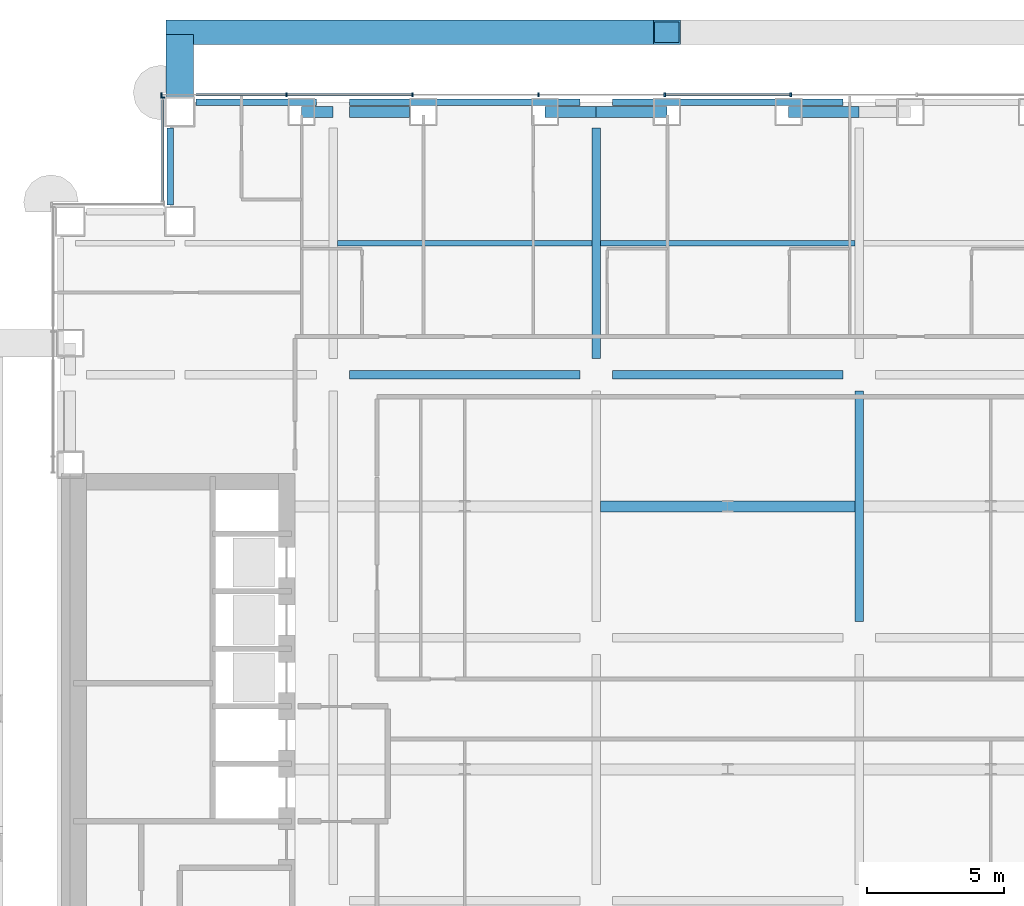
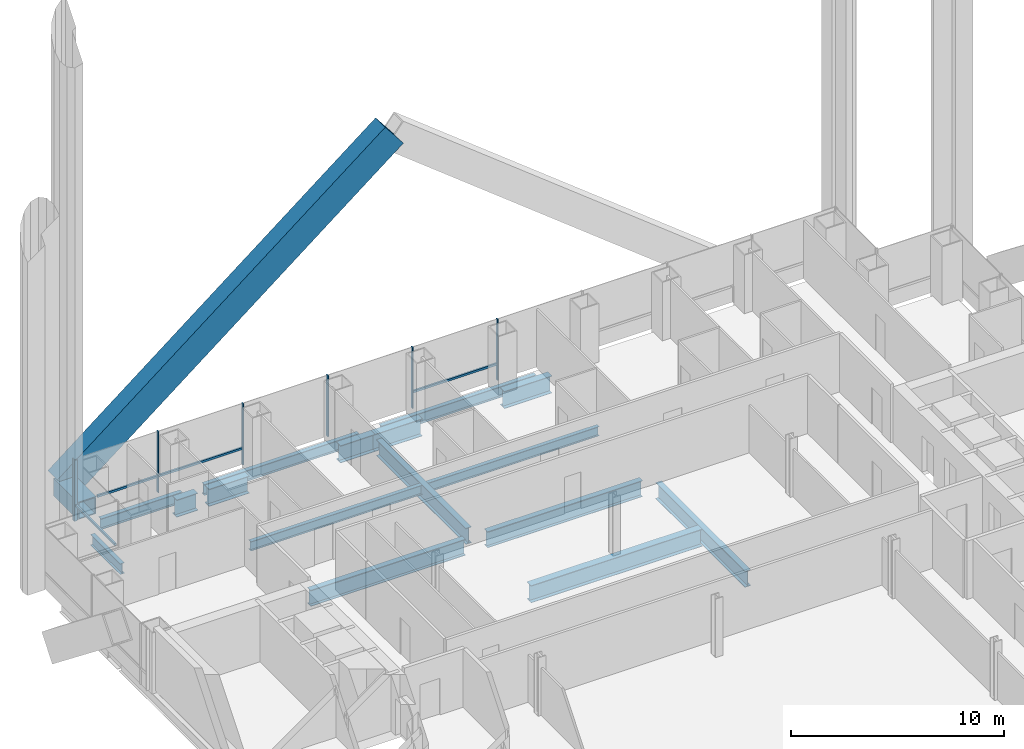
# One storey, part 10 of 28: 17 beams, 12 members, 2 elements without a shape of their own.
"""IFC4 building model written with IfcOpenShell, lengths in metres."""

import ifcopenshell
import ifcopenshell.guid

model = None  # the IFC model being written
_history = None  # IfcOwnerHistory: only IFC2X3 demands one
_inside = {}  # id of a spatial element -> (the spatial element, [elements in it])
_under = {}  # id of a project, library or spatial element -> (it, [spatial elements below it])
_declared = {}  # id of a project -> (the project, [libraries it declares])
_typed = {}  # id of a type object -> (the type object, [elements of that type])
_made_of = {}  # id of a material, layer set ... -> (it, [elements and type objects made of it])


def new_model(schema):
    """Start an empty IFC model of exactly this schema.

    Asked for "IFC4X3", IfcOpenShell would pick the latest addendum, in which some entities
    have other attributes; the version numbers below select the first issue.
    IFC2X3 requires an IfcOwnerHistory on every rooted entity: one is made here for all.
    """
    global model, _history
    if schema == "IFC4X3":
        model = ifcopenshell.file(schema_version=(4, 3, 0, 0))
    else:
        model = ifcopenshell.file(schema=schema)
    _inside.clear()
    _under.clear()
    _declared.clear()
    _typed.clear()
    _made_of.clear()
    _history = None
    if model.schema == "IFC2X3":
        org = make("IfcOrganization", Name="unknown")
        user = make(
            "IfcPersonAndOrganization",
            ThePerson=make("IfcPerson", FamilyName="unknown"),
            TheOrganization=org,
        )
        app = make(
            "IfcApplication",
            ApplicationDeveloper=org,
            Version="unknown",
            ApplicationFullName="unknown",
            ApplicationIdentifier="unknown",
        )
        _history = make(
            "IfcOwnerHistory",
            OwningUser=user,
            OwningApplication=app,
            ChangeAction="ADDED",
            CreationDate=0,
        )
    return model


def make(cls, **values):
    """One entity of the class cls with the attributes given. An attribute that is None is left unset."""
    return model.create_entity(
        cls, **{name: value for name, value in values.items() if value is not None}
    )


def rooted(cls, **values):
    """An entity with a GlobalId (a new one), such as an element, a storey or a relation."""
    return make(cls, GlobalId=ifcopenshell.guid.new(), OwnerHistory=_history, **values)


def si_unit(unit_type, name, prefix=None):
    """IfcSIUnit, for example si_unit("LENGTHUNIT", "METRE", prefix="MILLI")."""
    return make("IfcSIUnit", UnitType=unit_type, Prefix=prefix, Name=name)


def assignment(units):
    """IfcUnitAssignment: the units of a project."""
    return None if units is None else make("IfcUnitAssignment", Units=units)


def point(xyz):
    """IfcCartesianPoint."""
    return None if xyz is None else make("IfcCartesianPoint", Coordinates=xyz)


def direction(xyz):
    """IfcDirection."""
    return None if xyz is None else make("IfcDirection", DirectionRatios=xyz)


def frame(location, z_axis=None, x_axis=None):
    """IfcAxis2Placement3D, a coordinate frame: its origin and axes. An axis left out is left unset."""
    return make(
        "IfcAxis2Placement3D",
        Location=point(location),
        Axis=direction(z_axis),
        RefDirection=direction(x_axis),
    )


def frame_2d(location, x_axis=None):
    """IfcAxis2Placement2D, a coordinate frame in the plane: its origin and x axis."""
    return make(
        "IfcAxis2Placement2D", Location=point(location), RefDirection=direction(x_axis)
    )


def origin():
    """The frame at (0, 0, 0) with its axes left unset."""
    return frame((0.0, 0.0, 0.0))


def origin_2d():
    """The frame at (0, 0) in the plane with its x axis left unset."""
    return frame_2d((0.0, 0.0))


def place(relative_to, where):
    """IfcLocalPlacement: puts the frame where relative to a parent placement (None: the world)."""
    return make(
        "IfcLocalPlacement", PlacementRelTo=relative_to, RelativePlacement=where
    )


def context(
    kind, dimensions, precision=None, world=None, true_north=None, identifier=None
):
    """IfcGeometricRepresentationContext, for example the 3D "Model" context."""
    return make(
        "IfcGeometricRepresentationContext",
        ContextIdentifier=identifier,
        ContextType=kind,
        CoordinateSpaceDimension=dimensions,
        Precision=precision,
        WorldCoordinateSystem=world,
        TrueNorth=true_north,
    )


def subcontext(parent, identifier, kind, view, scale=None):
    """IfcGeometricRepresentationSubContext, for example "Body" below "Model"."""
    return make(
        "IfcGeometricRepresentationSubContext",
        ContextIdentifier=identifier,
        ContextType=kind,
        ParentContext=parent,
        TargetScale=scale,
        TargetView=view,
    )


def project(units=None, contexts=None):
    """IfcProject with its units and contexts."""
    return rooted(
        "IfcProject",
        Name="project",
        RepresentationContexts=contexts,
        UnitsInContext=assignment(units),
    )


def spatial(cls, under=None, at=None, **own):
    """A site, building, storey or space (cls), placed at a placement, below another one or the project."""
    s = rooted(cls, ObjectPlacement=at, **own)
    if under is not None:
        _under.setdefault(under.id(), (under, []))[1].append(s)
    return s


def profile(cls, at=None, kind="AREA", **sizes):
    """A parametric profile (cls). Its sizes go by their IFC names, for example OverallWidth=200.0."""
    return make(cls, ProfileType=kind, Position=at, **sizes)


def rectangle(**sizes):
    """IfcRectangleProfileDef."""
    return profile("IfcRectangleProfileDef", **sizes)


def hollow_rectangle(**sizes):
    """IfcRectangleHollowProfileDef."""
    return profile("IfcRectangleHollowProfileDef", **sizes)


def i_section(**sizes):
    """IfcIShapeProfileDef."""
    return profile("IfcIShapeProfileDef", **sizes)


def extrude(swept, where, along, depth):
    """IfcExtrudedAreaSolid: the profile swept, set in the frame where, extruded along a direction by depth."""
    return make(
        "IfcExtrudedAreaSolid",
        SweptArea=swept,
        Position=where,
        ExtrudedDirection=direction(along),
        Depth=depth,
    )


def shape(context_of_items, identifier, shape_type, items):
    """IfcShapeRepresentation: the items that make up one representation, for example the "Body"."""
    return make(
        "IfcShapeRepresentation",
        ContextOfItems=context_of_items,
        RepresentationIdentifier=identifier,
        RepresentationType=shape_type,
        Items=items,
    )


def material(Name=None, Category=None):
    """IfcMaterial."""
    return make("IfcMaterial", Name=Name, Category=Category)


def material_profile(
    of_material, cross_section, Name=None, Category=None, Priority=None
):
    """IfcMaterialProfile: a cross section and its material."""
    return make(
        "IfcMaterialProfile",
        Name=Name,
        Material=of_material,
        Profile=cross_section,
        Priority=Priority,
        Category=Category,
    )


def profile_set(profiles, Name=None, composite=None):
    """IfcMaterialProfileSet."""
    return make(
        "IfcMaterialProfileSet",
        Name=Name,
        MaterialProfiles=profiles,
        CompositeProfile=composite,
    )


def made_of(thing, what):
    """Note that an element or type object is made of a material, layer set ...; save() writes the relation."""
    if what is not None:
        _made_of.setdefault(what.id(), (what, []))[1].append(thing)
    return thing


def type_object(cls, material=None, **own):
    """A type object (cls), such as IfcWallType, which elements share."""
    return made_of(rooted(cls, **own), material)


def element(
    cls,
    number,
    at=None,
    inside=None,
    cuts=None,
    type_object=None,
    material=None,
    context=None,
    identifier="Body",
    shape_type=None,
    held_by="IfcProductDefinitionShape",
    body=None,
    shapes=None,
    **own,
):
    """One element of the class cls, such as IfcWall. Its Tag is "e" and its number.

    at: its placement. inside: the storey or other place that contains it. cuts: it is an
    opening in that element (IfcRelVoidsElement). A single representation is given by context,
    identifier, shape_type and body (its items); several are given by shapes. held_by: the class
    of the entity that holds the representations. save() writes the other relations.
    """
    e = rooted(cls, Tag="e%d" % number, ObjectPlacement=at, **own)
    if body is not None:
        shapes = [shape(context, identifier, shape_type, body)]
    if shapes is not None:
        e.Representation = make(held_by, Representations=shapes)
    if inside is not None:
        _inside.setdefault(inside.id(), (inside, []))[1].append(e)
    if cuts is not None:
        rooted(
            "IfcRelVoidsElement", RelatingBuildingElement=cuts, RelatedOpeningElement=e
        )
    if type_object is not None:
        _typed.setdefault(type_object.id(), (type_object, []))[1].append(e)
    return made_of(e, material)


def aggregate(whole, parts):
    """IfcRelAggregates: a whole, such as a stair, and the parts it consists of."""
    return rooted("IfcRelAggregates", RelatingObject=whole, RelatedObjects=parts)


def save(model, path):
    """Write the relations noted so far, then the file.

    IfcRelAggregates (storeys below a building ...), IfcRelContainedInSpatialStructure (elements
    in a storey), IfcRelDefinesByType, IfcRelAssociatesMaterial and IfcRelDeclares: one each for
    every whole, place, type object, material and project.
    """
    for whole, parts in _under.values():
        aggregate(whole, parts)
    for where, things in _inside.values():
        rooted(
            "IfcRelContainedInSpatialStructure",
            RelatedElements=things,
            RelatingStructure=where,
        )
    for kind, things in _typed.values():
        rooted("IfcRelDefinesByType", RelatedObjects=things, RelatingType=kind)
    for what, things in _made_of.values():
        rooted("IfcRelAssociatesMaterial", RelatedObjects=things, RelatingMaterial=what)
    for by, libraries in _declared.values():
        rooted("IfcRelDeclares", RelatingContext=by, RelatedDefinitions=libraries)
    model.write(path)


model = new_model("IFC4")

# Units and contexts
model_context = context("Model", 3, precision=1e-05, world=origin(), true_north=direction((0.0, 1.0)))
body_context = subcontext(model_context, "Body", "Model", "MODEL_VIEW")
ifc_project = project(units=[si_unit("LENGTHUNIT", "METRE"), si_unit("AREAUNIT", "SQUARE_METRE"), si_unit("VOLUMEUNIT", "CUBIC_METRE"), si_unit("PLANEANGLEUNIT", "RADIAN"), si_unit("MASSUNIT", "GRAM", prefix="KILO")], contexts=[model_context])

# Site, building, storey
site_placement = place(None, origin())
site = spatial("IfcSite", under=ifc_project, at=site_placement, CompositionType="ELEMENT")
building_placement = place(site_placement, origin())
building = spatial("IfcBuilding", under=site, at=building_placement, Name="Cobrizo Arcos Hotel Tower", CompositionType="ELEMENT")
storey_placement = place(building_placement, frame((0.0, 0.0, 39.0)))
storey = spatial("IfcBuildingStorey", under=building, at=storey_placement, Name="L07", CompositionType="ELEMENT", Elevation=39.0)

# Beam
ifc_material_1 = material(Name="Steel ASTM A572 Grade 50", Category="steel")
ifc_material_profile_1 = material_profile(ifc_material_1, hollow_rectangle(XDim=1.0, YDim=1.0, WallThickness=0.06005859375, at=origin_2d()), Name="BOX 1000X1000X60")
ifc_profile_set_1 = profile_set([ifc_material_profile_1], Name="Steel ASTM A572 Grade 50")
beam_type_1 = type_object("IfcBeamType", Name="BOX 1000X1000X60 brace connector strut", PredefinedType="BEAM", material=ifc_profile_set_1)
beam_1_placement = place(storey_placement, frame((-20.0, 24.5400390625, 0.5), z_axis=(0.0, 1.0, 0.0), x_axis=(-1.0, 0.0, 0.0)))
element("IfcBeam", 1, at=beam_1_placement, inside=storey, type_object=beam_type_1, Name="Perimeter brace stub BS1, zone Z1, north face, offset -20.00 m, L07", PredefinedType="BEAM", context=body_context, shape_type="SweptSolid", body=[
    extrude(hollow_rectangle(XDim=1.0, YDim=1.0, WallThickness=0.06005859375, at=origin_2d()), origin(), (0.0, 0.0, 1.0), 2.280029296875),
])

# Member
ifc_material_profile_2 = material_profile(ifc_material_1, hollow_rectangle(XDim=0.89990234375, YDim=1.60009765625, WallThickness=0.070068359375, at=origin_2d()), Name="BOX 900X1600X70")
ifc_profile_set_2 = profile_set([ifc_material_profile_2], Name="Steel ASTM A572 Grade 50")
member_type_1 = type_object("IfcMemberType", Name="BOX 900X1600X70 perimeter brace", PredefinedType="BRACE", material=ifc_profile_set_2)
member_1_placement = place(storey_placement, frame((-20.0, 26.89990234375, 0.5), z_axis=(0.785637232407, 0.0, 0.618687432437), x_axis=(0.0, 1.0, 0.0)))
element("IfcMember", 2, at=member_1_placement, inside=storey, type_object=member_type_1, Name="Perimeter brace PBR1, zone Z1, north face, no. 01", PredefinedType="BRACE", context=body_context, shape_type="SweptSolid", body=[
    extrude(hollow_rectangle(XDim=0.89990234375, YDim=1.60009765625, WallThickness=0.070068359375, at=origin_2d()), origin(), (0.0, 0.0, 1.0), 22.628662109375),
])

# Curtain wall, members
ifc_material_2 = material(Name="Aluminium 6063-T6 anodised bronze", Category="aluminium")
curtain_wall_type = type_object("IfcCurtainWallType", Name="CW-A guest facade", PredefinedType="NOTDEFINED", material=ifc_material_2)
curtain_wall_1_placement = place(storey_placement, origin())
curtain_wall_1 = element("IfcCurtainWall", 3, at=curtain_wall_1_placement, inside=storey, type_object=curtain_wall_type, Name="CW-A L07 N face", PredefinedType="NOTDEFINED")
ifc_material_profile_3 = material_profile(ifc_material_2, rectangle(XDim=0.14990234375, YDim=0.06005859375, at=origin_2d()), Name="CW-A mullion 150x60")
ifc_profile_set_3 = profile_set([ifc_material_profile_3], Name="Aluminium 6063-T6 anodised bronze")
member_type_2 = type_object("IfcMemberType", Name="CW-A mullion 150x60", PredefinedType="MULLION", material=ifc_profile_set_3)
member_2_placement = place(storey_placement, frame((2.300048828125, 24.625, 0.0), z_axis=(0.0, 0.0, 1.0), x_axis=(0.0, 1.0, 0.0)))
member_2 = element("IfcMember", 4, at=member_2_placement, type_object=member_type_2, Name="CW-A mullion 5", PredefinedType="MULLION", context=body_context, shape_type="SweptSolid", body=[
    extrude(rectangle(XDim=0.14990234375, YDim=0.06005859375, at=origin_2d()), origin(), (0.0, 0.0, 1.0), 3.5),
])
member_3_placement = place(storey_placement, frame((-2.300048828125, 24.625, 0.0), z_axis=(0.0, 0.0, 1.0), x_axis=(0.0, 1.0, 0.0)))
member_3 = element("IfcMember", 5, at=member_3_placement, type_object=member_type_2, Name="CW-A mullion 6", PredefinedType="MULLION", context=body_context, shape_type="SweptSolid", body=[
    extrude(rectangle(XDim=0.14990234375, YDim=0.06005859375, at=origin_2d()), origin(), (0.0, 0.0, 1.0), 3.5),
])
member_4_placement = place(storey_placement, frame((-6.89990234375, 24.625, 0.0), z_axis=(0.0, 0.0, 1.0), x_axis=(0.0, 1.0, 0.0)))
member_4 = element("IfcMember", 6, at=member_4_placement, type_object=member_type_2, Name="CW-A mullion 7", PredefinedType="MULLION", context=body_context, shape_type="SweptSolid", body=[
    extrude(rectangle(XDim=0.14990234375, YDim=0.06005859375, at=origin_2d()), origin(), (0.0, 0.0, 1.0), 3.5),
])
member_5_placement = place(storey_placement, frame((-11.5, 24.625, 0.0), z_axis=(0.0, 0.0, 1.0), x_axis=(0.0, 1.0, 0.0)))
member_5 = element("IfcMember", 7, at=member_5_placement, type_object=member_type_2, Name="CW-A mullion 8", PredefinedType="MULLION", context=body_context, shape_type="SweptSolid", body=[
    extrude(rectangle(XDim=0.14990234375, YDim=0.06005859375, at=origin_2d()), origin(), (0.0, 0.0, 1.0), 3.5),
])
member_6_placement = place(storey_placement, frame((-16.10009765625, 24.625, 0.0), z_axis=(0.0, 0.0, 1.0), x_axis=(0.0, 1.0, 0.0)))
member_6 = element("IfcMember", 8, at=member_6_placement, type_object=member_type_2, Name="CW-A mullion 9", PredefinedType="MULLION", context=body_context, shape_type="SweptSolid", body=[
    extrude(rectangle(XDim=0.14990234375, YDim=0.06005859375, at=origin_2d()), origin(), (0.0, 0.0, 1.0), 3.5),
])
member_7_placement = place(storey_placement, frame((-20.669921875, 24.625, 0.0), z_axis=(0.0, 0.0, 1.0), x_axis=(0.0, 1.0, 0.0)))
member_7 = element("IfcMember", 9, at=member_7_placement, type_object=member_type_2, Name="CW-A mullion 10", PredefinedType="MULLION", context=body_context, shape_type="SweptSolid", body=[
    extrude(rectangle(XDim=0.14990234375, YDim=0.06005859375, at=origin_2d()), origin(), (0.0, 0.0, 1.0), 3.5),
])

# Curtain wall, member
curtain_wall_2_placement = place(storey_placement, origin())
curtain_wall_2 = element("IfcCurtainWall", 10, at=curtain_wall_2_placement, inside=storey, type_object=curtain_wall_type, Name="CW-A L07 W face", PredefinedType="NOTDEFINED")
member_8_placement = place(storey_placement, frame((-20.625, 24.52001953125, 0.0), z_axis=(0.0, 0.0, 1.0), x_axis=(-1.0, 0.0, 0.0)))
member_8 = element("IfcMember", 11, at=member_8_placement, type_object=member_type_2, Name="CW-A mullion 1", PredefinedType="MULLION", context=body_context, shape_type="SweptSolid", body=[
    extrude(rectangle(XDim=0.14990234375, YDim=0.06005859375, at=origin_2d()), origin(), (0.0, 0.0, 1.0), 3.5),
])

# Member
ifc_material_profile_4 = material_profile(ifc_material_2, rectangle(XDim=0.10009765625, YDim=0.1201171875, at=origin_2d()), Name="CW-A transom 120x100")
ifc_profile_set_4 = profile_set([ifc_material_profile_4], Name="Aluminium 6063-T6 anodised bronze")
member_type_3 = type_object("IfcMemberType", Name="CW-A transom 120x100", PredefinedType="USERDEFINED", material=ifc_profile_set_4)
member_9_placement = place(storey_placement, frame((2.27001953125, 24.625, 0.929931640625), z_axis=(-1.0, 0.0, 0.0), x_axis=(0.0, -1.0, 0.0)))
member_9 = element("IfcMember", 12, at=member_9_placement, type_object=member_type_3, Name="CW-A transom 384", ObjectType="TRANSOM", PredefinedType="USERDEFINED", context=body_context, shape_type="SweptSolid", body=[
    extrude(rectangle(XDim=0.10009765625, YDim=0.1201171875, at=origin_2d()), origin(), (0.0, 0.0, 1.0), 4.5400390625),
])

member_10_placement = place(storey_placement, frame((-11.530029296875, 24.625, 0.929931640625), z_axis=(-1.0, 0.0, 0.0), x_axis=(0.0, -1.0, 0.0)))
member_10 = element("IfcMember", 13, at=member_10_placement, type_object=member_type_3, Name="CW-A transom 387", ObjectType="TRANSOM", PredefinedType="USERDEFINED", context=body_context, shape_type="SweptSolid", body=[
    extrude(rectangle(XDim=0.10009765625, YDim=0.1201171875, at=origin_2d()), origin(), (0.0, 0.0, 1.0), 4.5400390625),
])

member_11_placement = place(storey_placement, frame((-16.1298828125, 24.625, 0.929931640625), z_axis=(-1.0, 0.0, 0.0), x_axis=(0.0, -1.0, 0.0)))
member_11 = element("IfcMember", 14, at=member_11_placement, type_object=member_type_3, Name="CW-A transom 388", ObjectType="TRANSOM", PredefinedType="USERDEFINED", context=body_context, shape_type="SweptSolid", body=[
    extrude(rectangle(XDim=0.10009765625, YDim=0.1201171875, at=origin_2d()), origin(), (0.0, 0.0, 1.0), 3.27001953125),
])

aggregate(curtain_wall_1, [member_2, member_3, member_4, member_5, member_6, member_7, member_9, member_10, member_11])

member_12_placement = place(storey_placement, frame((-20.625, 24.43994140625, 0.929931640625), z_axis=(0.0, -1.0, 0.0), x_axis=(1.0, 0.0, 0.0)))
member_12 = element("IfcMember", 15, at=member_12_placement, type_object=member_type_3, Name="CW-A transom 389", ObjectType="TRANSOM", PredefinedType="USERDEFINED", context=body_context, shape_type="SweptSolid", body=[
    extrude(rectangle(XDim=0.10009765625, YDim=0.1201171875, at=origin_2d()), origin(), (0.0, 0.0, 1.0), 3.679931640625),
])

aggregate(curtain_wall_2, [member_8, member_12])

# Beams
ifc_material_3 = material(Name="Steel ASTM A992 Grade 50", Category="steel")
ifc_material_profile_5 = material_profile(ifc_material_3, i_section(OverallWidth=0.209228515625, OverallDepth=0.533447265625, WebThickness=0.01025390625, FlangeThickness=0.015625, at=origin_2d()), Name="W21X62")
ifc_profile_set_5 = profile_set([ifc_material_profile_5], Name="Steel ASTM A992 Grade 50")
beam_type_2 = type_object("IfcBeamType", Name="W21X62 joist", PredefinedType="JOIST", material=ifc_profile_set_5)
beam_2_placement = place(storey_placement, frame((-14.246337890625, 19.199951171875, -0.416748046875), z_axis=(1.0, 0.0, 0.0), x_axis=(0.0, 1.0, 0.0)))
element("IfcBeam", 16, at=beam_2_placement, inside=storey, type_object=beam_type_2, Name="Floor joist J1, L07, no. 010", PredefinedType="JOIST", context=body_context, shape_type="SweptSolid", body=[
    extrude(i_section(OverallWidth=0.209228515625, OverallDepth=0.533447265625, WebThickness=0.01025390625, FlangeThickness=0.015625, at=origin_2d()), origin(), (0.0, 0.0, 1.0), 9.292724609375),
])
beam_3_placement = place(storey_placement, frame((-4.646240234375, 19.199951171875, -0.416748046875), z_axis=(1.0, 0.0, 0.0), x_axis=(0.0, 1.0, 0.0)))
element("IfcBeam", 17, at=beam_3_placement, inside=storey, type_object=beam_type_2, Name="Floor joist J1, L07, no. 011", PredefinedType="JOIST", context=body_context, shape_type="SweptSolid", body=[
    extrude(i_section(OverallWidth=0.209228515625, OverallDepth=0.533447265625, WebThickness=0.01025390625, FlangeThickness=0.015625, at=origin_2d()), origin(), (0.0, 0.0, 1.0), 9.29248046875),
])
ifc_material_profile_6 = material_profile(ifc_material_3, i_section(OverallWidth=0.23046875, OverallDepth=0.6171875, WebThickness=0.01318359375, FlangeThickness=0.022216796875, at=origin_2d()), Name="W24X94")
ifc_profile_set_6 = profile_set([ifc_material_profile_6], Name="Steel ASTM A992 Grade 50")
beam_type_3 = type_object("IfcBeamType", Name="W24X94 spandrel", PredefinedType="SPANDREL", material=ifc_profile_set_6)
beam_4_placement = place(storey_placement, frame((-20.35009765625, 20.60009765625, -0.45849609375), z_axis=(0.0, 1.0, 0.0), x_axis=(-1.0, 0.0, 0.0)))
element("IfcBeam", 18, at=beam_4_placement, inside=storey, type_object=beam_type_3, Name="Spandrel beam W24X94, L07, no. 005", PredefinedType="SPANDREL", context=body_context, shape_type="SweptSolid", body=[
    extrude(i_section(OverallWidth=0.23046875, OverallDepth=0.6171875, WebThickness=0.01318359375, FlangeThickness=0.022216796875, at=origin_2d()), origin(), (0.0, 0.0, 1.0), 2.7998046875),
])
beam_5_placement = place(storey_placement, frame((-19.39990234375, 24.35009765625, -0.45849609375), z_axis=(1.0, 0.0, 0.0), x_axis=(0.0, 1.0, 0.0)))
element("IfcBeam", 19, at=beam_5_placement, inside=storey, type_object=beam_type_3, Name="Spandrel beam W24X94, L07, no. 006", PredefinedType="SPANDREL", context=body_context, shape_type="SweptSolid", body=[
    extrude(i_section(OverallWidth=0.23046875, OverallDepth=0.6171875, WebThickness=0.01318359375, FlangeThickness=0.022216796875, at=origin_2d()), origin(), (0.0, 0.0, 1.0), 4.39990234375),
])
beam_6_placement = place(storey_placement, frame((-13.800048828125, 24.35009765625, -0.45849609375), z_axis=(1.0, 0.0, 0.0), x_axis=(0.0, 1.0, 0.0)))
element("IfcBeam", 20, at=beam_6_placement, inside=storey, type_object=beam_type_3, Name="Spandrel beam W24X94, L07, no. 007", PredefinedType="SPANDREL", context=body_context, shape_type="SweptSolid", body=[
    extrude(i_section(OverallWidth=0.23046875, OverallDepth=0.6171875, WebThickness=0.01318359375, FlangeThickness=0.022216796875, at=origin_2d()), origin(), (0.0, 0.0, 1.0), 8.400146484375),
])
beam_7_placement = place(storey_placement, frame((-4.199951171875, 24.35009765625, -0.45849609375), z_axis=(1.0, 0.0, 0.0), x_axis=(0.0, 1.0, 0.0)))
element("IfcBeam", 21, at=beam_7_placement, inside=storey, type_object=beam_type_3, Name="Spandrel beam W24X94, L07, no. 008", PredefinedType="SPANDREL", context=body_context, shape_type="SweptSolid", body=[
    extrude(i_section(OverallWidth=0.23046875, OverallDepth=0.6171875, WebThickness=0.01318359375, FlangeThickness=0.022216796875, at=origin_2d()), origin(), (0.0, 0.0, 1.0), 8.39990234375),
])
ifc_material_profile_7 = material_profile(ifc_material_3, i_section(OverallWidth=0.307373046875, OverallDepth=0.927001953125, WebThickness=0.01953125, FlangeThickness=0.031982421875, at=origin_2d()), Name="W36X194")
ifc_profile_set_7 = profile_set([ifc_material_profile_7], Name="Steel ASTM A992 Grade 50")
beam_type_4 = type_object("IfcBeamType", Name="W36X194 podium girder", PredefinedType="BEAM", material=ifc_profile_set_7)
beam_8_placement = place(storey_placement, frame((-13.800048828125, 14.39990234375, -0.613525390625), z_axis=(1.0, 0.0, 0.0), x_axis=(0.0, 1.0, 0.0)))
element("IfcBeam", 22, at=beam_8_placement, inside=storey, type_object=beam_type_4, Name="Podium girder PG1, L07, no. 018", PredefinedType="BEAM", context=body_context, shape_type="SweptSolid", body=[
    extrude(i_section(OverallWidth=0.307373046875, OverallDepth=0.927001953125, WebThickness=0.01953125, FlangeThickness=0.031982421875, at=origin_2d()), origin(), (0.0, 0.0, 1.0), 8.400146484375),
])
for number, where, z_axis, x_axis, name in (
    (23, (-4.199951171875, 14.39990234375, -0.613525390625), (1.0, 0.0, 0.0), (0.0, 1.0, 0.0), "Podium girder PG1, L07, no. 019"),
    (24, (-4.800048828125, 15.0, -0.613525390625), (0.0, 1.0, 0.0), (-1.0, 0.0, 0.0), "Podium girder PG1, L07, no. 032"),
):
    element("IfcBeam", number, at=place(storey_placement, frame(where, z_axis=z_axis, x_axis=x_axis)), inside=storey, type_object=beam_type_4, Name=name, PredefinedType="BEAM", context=body_context, shape_type="SweptSolid", body=[
        extrude(i_section(OverallWidth=0.307373046875, OverallDepth=0.927001953125, WebThickness=0.01953125, FlangeThickness=0.031982421875, at=origin_2d()), origin(), (0.0, 0.0, 1.0), 8.39990234375),
    ])
beam_9_placement = place(storey_placement, frame((4.800048828125, 5.39990234375, -0.613525390625), z_axis=(0.0, 1.0, 0.0), x_axis=(-1.0, 0.0, 0.0)))
element("IfcBeam", 25, at=beam_9_placement, inside=storey, type_object=beam_type_4, Name="Podium girder PG1, L07, no. 036", PredefinedType="BEAM", context=body_context, shape_type="SweptSolid", body=[
    extrude(i_section(OverallWidth=0.307373046875, OverallDepth=0.927001953125, WebThickness=0.01953125, FlangeThickness=0.031982421875, at=origin_2d()), origin(), (0.0, 0.0, 1.0), 8.400146484375),
])
ifc_material_profile_8 = material_profile(ifc_material_3, i_section(OverallWidth=0.4013671875, OverallDepth=0.990478515625, WebThickness=0.0166015625, FlangeThickness=0.025390625, at=origin_2d()), Name="W40X215")
ifc_profile_set_8 = profile_set([ifc_material_profile_8], Name="Steel ASTM A992 Grade 50")
beam_type_5 = type_object("IfcBeamType", Name="W40X215 transfer girder", PredefinedType="BEAM", material=ifc_profile_set_8)
beam_10_placement = place(storey_placement, frame((-4.646240234375, 9.60009765625, -0.645263671875), z_axis=(1.0, 0.0, 0.0), x_axis=(0.0, 1.0, 0.0)))
element("IfcBeam", 26, at=beam_10_placement, inside=storey, type_object=beam_type_5, Name="Transfer girder TG1, L07, no. 013", PredefinedType="BEAM", context=body_context, shape_type="SweptSolid", body=[
    extrude(i_section(OverallWidth=0.4013671875, OverallDepth=0.990478515625, WebThickness=0.0166015625, FlangeThickness=0.025390625, at=origin_2d()), origin(), (0.0, 0.0, 1.0), 9.29248046875),
])
beam_11_placement = place(storey_placement, frame((-14.39990234375, 24.0, -0.645263671875), z_axis=(-1.0, 0.0, 0.0), x_axis=(0.0, -1.0, 0.0)))
element("IfcBeam", 27, at=beam_11_placement, inside=storey, type_object=beam_type_5, Name="Setback transfer girder TG1, L07, no. 001", PredefinedType="BEAM", context=body_context, shape_type="SweptSolid", body=[
    extrude(i_section(OverallWidth=0.4013671875, OverallDepth=0.990478515625, WebThickness=0.0166015625, FlangeThickness=0.025390625, at=origin_2d()), origin(), (0.0, 0.0, 1.0), 1.156005859375),
])
beam_12_placement = place(storey_placement, frame((-13.800048828125, 24.0, -0.645263671875), z_axis=(1.0, 0.0, 0.0), x_axis=(0.0, 1.0, 0.0)))
element("IfcBeam", 28, at=beam_12_placement, inside=storey, type_object=beam_type_5, Name="Setback transfer girder TG1, L07, no. 003", PredefinedType="BEAM", context=body_context, shape_type="SweptSolid", body=[
    extrude(i_section(OverallWidth=0.4013671875, OverallDepth=0.990478515625, WebThickness=0.0166015625, FlangeThickness=0.025390625, at=origin_2d()), origin(), (0.0, 0.0, 1.0), 2.18896484375),
])
beam_13_placement = place(storey_placement, frame((-4.800048828125, 24.0, -0.645263671875), z_axis=(-1.0, 0.0, 0.0), x_axis=(0.0, -1.0, 0.0)))
element("IfcBeam", 29, at=beam_13_placement, inside=storey, type_object=beam_type_5, Name="Setback transfer girder TG1, L07, no. 005", PredefinedType="BEAM", context=body_context, shape_type="SweptSolid", body=[
    extrude(i_section(OverallWidth=0.4013671875, OverallDepth=0.990478515625, WebThickness=0.0166015625, FlangeThickness=0.025390625, at=origin_2d()), origin(), (0.0, 0.0, 1.0), 1.866943359375),
])
for number, where, z_axis, x_axis, name in (
    (30, (-4.800048828125, 24.0, -0.645263671875), (1.0, 0.0, 0.0), (0.0, 1.0, 0.0), "Setback transfer girder TG1, L07, no. 007"),
    (31, (4.800048828125, 24.0, -0.645263671875), (-1.0, 0.0, 0.0), (0.0, -1.0, 0.0), "Setback transfer girder TG1, L07, no. 009"),
):
    element("IfcBeam", number, at=place(storey_placement, frame(where, z_axis=z_axis, x_axis=x_axis)), inside=storey, type_object=beam_type_5, Name=name, PredefinedType="BEAM", context=body_context, shape_type="SweptSolid", body=[
        extrude(i_section(OverallWidth=0.4013671875, OverallDepth=0.990478515625, WebThickness=0.0166015625, FlangeThickness=0.025390625, at=origin_2d()), origin(), (0.0, 0.0, 1.0), 2.578125),
    ])

save(model, "model.ifc")
